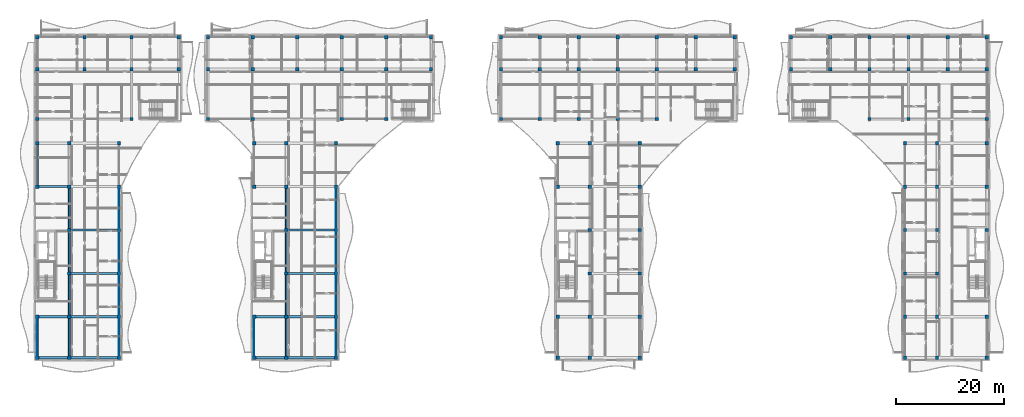
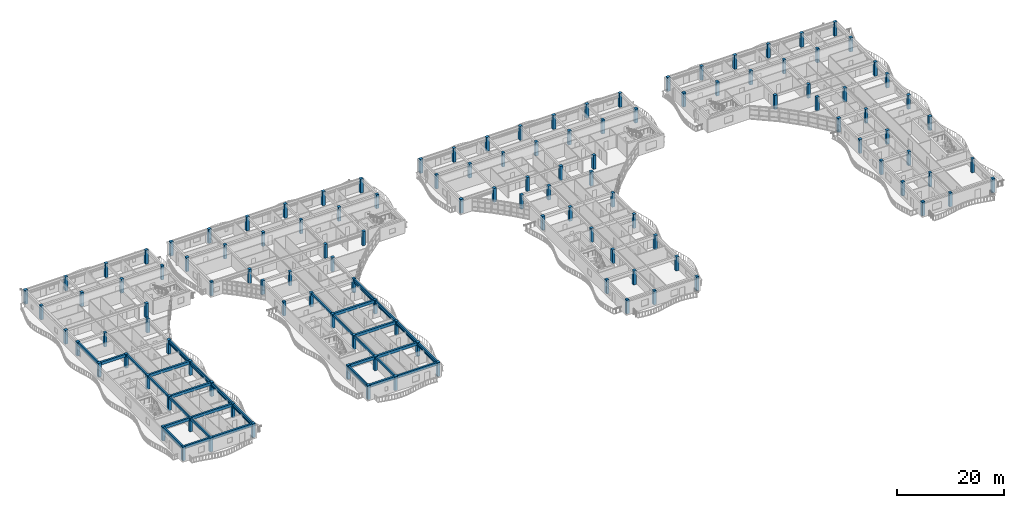
# One storey, part 1 of 76: 125 columns, 32 beams, 21 members.
"""IFC4 building model written with IfcOpenShell, lengths in metres."""

from ifc_helpers import new_model, si_unit, direction, frame, origin, origin_2d, place, context, subcontext, project, spatial, rectangle, hollow_rectangle, extrude, material, material_profile, profile_set, type_object, element, save


model = new_model("IFC4")

# Units and contexts
model_context = context("Model", 3, precision=1e-05, world=origin(), true_north=direction((0.0, 1.0)))
body_context = subcontext(model_context, "Body", "Model", "MODEL_VIEW")
ifc_project = project(units=[si_unit("LENGTHUNIT", "METRE"), si_unit("AREAUNIT", "SQUARE_METRE"), si_unit("VOLUMEUNIT", "CUBIC_METRE"), si_unit("PLANEANGLEUNIT", "RADIAN"), si_unit("MASSUNIT", "GRAM", prefix="KILO")], contexts=[model_context])

# Site, building, storey
site_placement = place(None, origin())
site = spatial("IfcSite", under=ifc_project, at=site_placement, CompositionType="ELEMENT")
building_placement = place(site_placement, origin())
building = spatial("IfcBuilding", under=site, at=building_placement, Name="Keldmere Railside Commons", CompositionType="ELEMENT")
storey_placement = place(building_placement, frame((0.0, 0.0, 13.760009765625)))
storey = spatial("IfcBuildingStorey", under=building, at=storey_placement, Name="L04", CompositionType="ELEMENT", Elevation=13.760009765625)

# Columns
ifc_material_1 = material(Name="Concrete H-35 (C35/45)", Category="concrete")
ifc_material_profile_1 = material_profile(ifc_material_1, rectangle(XDim=0.60009765625, YDim=0.60009765625, at=origin_2d()), Name="RC-600x600")
ifc_profile_set_1 = profile_set([ifc_material_profile_1], Name="Concrete H-35 (C35/45)")
column_type = type_object("IfcColumnType", Name="Mid-Rise RC Column 600x600", PredefinedType="COLUMN", material=ifc_profile_set_1)
for number, where, z_axis, x_axis, name in (
    (1, (8.449951171875, 56.449951171875, 0.0), (0.0, 0.0, 1.0), (1.0, 0.0, 0.0), "C-600 COL-L04-0044"),
    (2, (8.449951171875, 64.0, 0.0), (0.0, 0.0, 1.0), (1.0, 0.0, 0.0), "C-600 COL-L04-0050"),
    (3, (8.449951171875, 88.0, 0.0), (0.0, 0.0, 1.0), (1.0, 0.0, 0.0), "C-600 COL-L04-0058"),
    (4, (8.449951171875, 96.0, 0.0), (0.0, 0.0, 1.0), (1.0, 0.0, 0.0), "C-600 COL-L04-0067"),
    (5, (8.449951171875, 100.449951171875, 0.0), (0.0, 0.0, 1.0), (1.0, 0.0, 0.0), "C-600 COL-L04-0076"),
    (6, (8.449951171875, 109.64990234375, 0.0), (0.0, 0.0, 1.0), (1.0, 0.0, 0.0), "C-600 COL-L04-0086"),
    (7, (8.449951171875, 115.550048828125, 0.0), (0.0, 0.0, 1.0), (1.0, 0.0, 0.0), "C-600 COL-L04-0095"),
    (8, (14.35009765625, 56.449951171875, 0.0), (0.0, 0.0, 1.0), (1.0, 0.0, 0.0), "C-600 COL-L04-0102"),
    (9, (14.35009765625, 64.0, 0.0), (0.0, 0.0, 1.0), (1.0, 0.0, 0.0), "C-600 COL-L04-0108"),
    (10, (14.35009765625, 72.0, 0.0), (0.0, 0.0, 1.0), (1.0, 0.0, 0.0), "C-600 COL-L04-0116"),
    (11, (14.35009765625, 80.0, 0.0), (0.0, 0.0, 1.0), (1.0, 0.0, 0.0), "C-600 COL-L04-0125"),
    (12, (14.35009765625, 88.0, 0.0), (0.0, 0.0, 1.0), (1.0, 0.0, 0.0), "C-600 COL-L04-0134"),
    (13, (14.35009765625, 96.0, 0.0), (0.0, 0.0, 1.0), (1.0, 0.0, 0.0), "C-600 COL-L04-0143"),
    (14, (17.14990234375, 109.64990234375, 0.0), (0.0, 0.0, 1.0), (1.0, 0.0, 0.0), "C-600 COL-L04-0170"),
    (15, (17.14990234375, 115.550048828125, 0.0), (0.0, 0.0, 1.0), (1.0, 0.0, 0.0), "C-600 COL-L04-0179"),
    (16, (23.550048828125, 56.449951171875, 0.0), (0.0, 0.0, 1.0), (1.0, 0.0, 0.0), "C-600 COL-L04-0189"),
    (17, (23.550048828125, 64.0, 0.0), (0.0, 0.0, 1.0), (1.0, 0.0, 0.0), "C-600 COL-L04-0195"),
    (18, (23.550048828125, 72.0, 0.0), (0.0, 0.0, 1.0), (1.0, 0.0, 0.0), "C-600 COL-L04-0203"),
    (19, (23.550048828125, 80.0, 0.0), (0.0, 0.0, 1.0), (1.0, 0.0, 0.0), "C-600 COL-L04-0212"),
    (20, (23.550048828125, 88.0, 0.0), (0.0, 0.0, 1.0), (1.0, 0.0, 0.0), "C-600 COL-L04-0221"),
    (21, (23.550048828125, 96.0, 0.0), (0.0, 0.0, 1.0), (1.0, 0.0, 0.0), "C-600 COL-L04-0230"),
    (22, (25.85009765625, 100.449951171875, 0.0), (0.0, 0.0, 1.0), (1.0, 0.0, 0.0), "C-600 COL-L04-0251"),
    (23, (25.85009765625, 109.64990234375, 0.0), (0.0, 0.0, 1.0), (1.0, 0.0, 0.0), "C-600 COL-L04-0261"),
    (24, (25.85009765625, 115.550048828125, 0.0), (0.0, 0.0, 1.0), (1.0, 0.0, 0.0), "C-600 COL-L04-0270"),
    (25, (34.550048828125, 109.64990234375, 0.0), (0.0, 0.0, 1.0), (1.0, 0.0, 0.0), "C-600 COL-L04-0305"),
    (26, (34.550048828125, 115.550048828125, 0.0), (0.0, 0.0, 1.0), (1.0, 0.0, 0.0), "C-600 COL-L04-0314"),
    (27, (39.949951171875, 100.449951171875, 0.0), (0.0, 0.0, 1.0), (1.0, 0.0, 0.0), "C-600 COL-L04-0340"),
    (28, (39.949951171875, 109.64990234375, 0.0), (0.0, 0.0, 1.0), (1.0, 0.0, 0.0), "C-600 COL-L04-0352"),
    (29, (39.949951171875, 115.550048828125, 0.0), (0.0, 0.0, 1.0), (1.0, 0.0, 0.0), "C-600 COL-L04-0363"),
    (30, (48.169921875, 100.449951171875, 0.0), (0.0, 0.0, 1.0), (1.0, 0.0, 0.0), "C-600 COL-L04-0390"),
    (31, (48.169921875, 109.64990234375, 0.0), (0.0, 0.0, 1.0), (1.0, 0.0, 0.0), "C-600 COL-L04-0402"),
    (32, (48.169921875, 115.550048828125, 0.0), (0.0, 0.0, 1.0), (1.0, 0.0, 0.0), "C-600 COL-L04-0413"),
    (33, (48.449951171875, 56.449951171875, 0.0), (0.0, 0.0, 1.0), (1.0, 0.0, 0.0), "C-600 COL-L04-0436"),
    (34, (48.449951171875, 64.0, 0.0), (0.0, 0.0, 1.0), (1.0, 0.0, 0.0), "C-600 COL-L04-0443"),
    (35, (48.449951171875, 88.0, 0.0), (0.0, 0.0, 1.0), (1.0, 0.0, 0.0), "C-600 COL-L04-0453"),
    (36, (48.449951171875, 96.0, 0.0), (0.0, 0.0, 1.0), (1.0, 0.0, 0.0), "C-600 COL-L04-0464"),
    (37, (54.35009765625, 56.449951171875, 0.0), (0.0, 0.0, 1.0), (1.0, 0.0, 0.0), "C-600 COL-L04-0482"),
    (38, (54.35009765625, 64.0, 0.0), (0.0, 0.0, 1.0), (1.0, 0.0, 0.0), "C-600 COL-L04-0489"),
    (39, (54.35009765625, 72.0, 0.0), (0.0, 0.0, 1.0), (1.0, 0.0, 0.0), "C-600 COL-L04-0499"),
    (40, (54.35009765625, 80.0, 0.0), (0.0, 0.0, 1.0), (1.0, 0.0, 0.0), "C-600 COL-L04-0510"),
    (41, (54.35009765625, 88.0, 0.0), (0.0, 0.0, 1.0), (1.0, 0.0, 0.0), "C-600 COL-L04-0521"),
    (42, (54.35009765625, 96.0, 0.0), (0.0, 0.0, 1.0), (1.0, 0.0, 0.0), "C-600 COL-L04-0532"),
    (43, (56.389892578125, 109.64990234375, 0.0), (0.0, 0.0, 1.0), (1.0, 0.0, 0.0), "C-600 COL-L04-0544"),
    (44, (56.389892578125, 115.550048828125, 0.0), (0.0, 0.0, 1.0), (1.0, 0.0, 0.0), "C-600 COL-L04-0555"),
    (45, (63.550048828125, 56.449951171875, 0.0), (0.0, 0.0, 1.0), (1.0, 0.0, 0.0), "C-600 COL-L04-0568"),
    (46, (63.550048828125, 64.0, 0.0), (0.0, 0.0, 1.0), (1.0, 0.0, 0.0), "C-600 COL-L04-0575"),
    (47, (63.550048828125, 72.0, 0.0), (0.0, 0.0, 1.0), (1.0, 0.0, 0.0), "C-600 COL-L04-0585"),
    (48, (63.550048828125, 80.0, 0.0), (0.0, 0.0, 1.0), (1.0, 0.0, 0.0), "C-600 COL-L04-0596"),
    (49, (63.550048828125, 88.0, 0.0), (0.0, 0.0, 1.0), (1.0, 0.0, 0.0), "C-600 COL-L04-0607"),
    (50, (63.550048828125, 96.0, 0.0), (0.0, 0.0, 1.0), (1.0, 0.0, 0.0), "C-600 COL-L04-0618"),
    (51, (64.610107421875, 100.449951171875, 0.0), (0.0, 0.0, 1.0), (1.0, 0.0, 0.0), "C-600 COL-L04-0644"),
    (52, (64.610107421875, 109.64990234375, 0.0), (0.0, 0.0, 1.0), (1.0, 0.0, 0.0), "C-600 COL-L04-0656"),
    (53, (64.610107421875, 115.550048828125, 0.0), (0.0, 0.0, 1.0), (1.0, 0.0, 0.0), "C-600 COL-L04-0667"),
    (54, (72.830078125, 100.449951171875, 0.0), (0.0, 0.0, 1.0), (1.0, 0.0, 0.0), "C-600 COL-L04-0689"),
    (55, (72.830078125, 109.64990234375, 0.0), (0.0, 0.0, 1.0), (1.0, 0.0, 0.0), "C-600 COL-L04-0701"),
    (56, (72.830078125, 115.550048828125, 0.0), (0.0, 0.0, 1.0), (1.0, 0.0, 0.0), "C-600 COL-L04-0712"),
    (57, (81.050048828125, 109.64990234375, 0.0), (0.0, 0.0, 1.0), (1.0, 0.0, 0.0), "C-600 COL-L04-0754"),
    (58, (81.050048828125, 115.550048828125, 0.0), (0.0, 0.0, 1.0), (1.0, 0.0, 0.0), "C-600 COL-L04-0765"),
    (59, (93.949951171875, 100.449951171875, 0.0), (0.0, 0.0, 1.0), (1.0, 0.0, 0.0), "C-600 COL-L04-0814"),
    (60, (93.949951171875, 109.64990234375, 0.0), (0.0, 0.0, 1.0), (1.0, 0.0, 0.0), "C-600 COL-L04-0828"),
    (61, (93.949951171875, 115.550048828125, 0.0), (0.0, 0.0, 1.0), (1.0, 0.0, 0.0), "C-600 COL-L04-0841"),
    (62, (101.133056640625, 100.449951171875, 0.0), (0.0, 0.0, 1.0), (1.0, 0.0, 0.0), "C-600 COL-L04-0883"),
    (63, (101.133056640625, 109.64990234375, 0.0), (0.0, 0.0, 1.0), (1.0, 0.0, 0.0), "C-600 COL-L04-0897"),
    (64, (101.133056640625, 115.550048828125, 0.0), (0.0, 0.0, 1.0), (1.0, 0.0, 0.0), "C-600 COL-L04-0910"),
    (65, (104.449951171875, 56.449951171875, 0.0), (0.0, 0.0, 1.0), (1.0, 0.0, 0.0), "C-600 COL-L04-0925"),
    (66, (104.449951171875, 64.0, 0.0), (0.0, 0.0, 1.0), (1.0, 0.0, 0.0), "C-600 COL-L04-0934"),
    (67, (104.449951171875, 88.0, 0.0), (0.0, 0.0, 1.0), (1.0, 0.0, 0.0), "C-600 COL-L04-0946"),
    (68, (104.449951171875, 96.0, 0.0), (0.0, 0.0, 1.0), (1.0, 0.0, 0.0), "C-600 COL-L04-0959"),
    (69, (108.31689453125, 100.449951171875, 0.0), (0.0, 0.0, 1.0), (1.0, 0.0, 0.0), "C-600 COL-L04-0983"),
    (70, (108.31689453125, 109.64990234375, 0.0), (0.0, 0.0, 1.0), (1.0, 0.0, 0.0), "C-600 COL-L04-0997"),
    (71, (108.31689453125, 115.550048828125, 0.0), (0.0, 0.0, 1.0), (1.0, 0.0, 0.0), "C-600 COL-L04-1010"),
    (72, (110.35009765625, 56.449951171875, 0.0), (0.0, 0.0, 1.0), (1.0, 0.0, 0.0), "C-600 COL-L04-1019"),
    (73, (110.35009765625, 64.0, 0.0), (0.0, 0.0, 1.0), (1.0, 0.0, 0.0), "C-600 COL-L04-1028"),
    (74, (110.35009765625, 72.0, 0.0), (0.0, 0.0, 1.0), (1.0, 0.0, 0.0), "C-600 COL-L04-1040"),
    (75, (110.35009765625, 80.0, 0.0), (0.0, 0.0, 1.0), (1.0, 0.0, 0.0), "C-600 COL-L04-1053"),
    (76, (110.35009765625, 88.0, 0.0), (0.0, 0.0, 1.0), (1.0, 0.0, 0.0), "C-600 COL-L04-1066"),
    (77, (110.35009765625, 96.0, 0.0), (0.0, 0.0, 1.0), (1.0, 0.0, 0.0), "C-600 COL-L04-1079"),
    (78, (115.5, 100.449951171875, 0.0), (0.0, 0.0, 1.0), (1.0, 0.0, 0.0), "C-600 COL-L04-1100"),
    (79, (115.5, 109.64990234375, 0.0), (0.0, 0.0, 1.0), (1.0, 0.0, 0.0), "C-600 COL-L04-1114"),
    (80, (115.5, 115.550048828125, 0.0), (0.0, 0.0, 1.0), (1.0, 0.0, 0.0), "C-600 COL-L04-1127"),
    (81, (119.550048828125, 56.449951171875, 0.0), (0.0, 0.0, 1.0), (1.0, 0.0, 0.0), "C-600 COL-L04-1136"),
    (82, (119.550048828125, 64.0, 0.0), (0.0, 0.0, 1.0), (1.0, 0.0, 0.0), "C-600 COL-L04-1145"),
    (83, (119.550048828125, 72.0, 0.0), (0.0, 0.0, 1.0), (1.0, 0.0, 0.0), "C-600 COL-L04-1157"),
    (84, (119.550048828125, 80.0, 0.0), (0.0, 0.0, 1.0), (1.0, 0.0, 0.0), "C-600 COL-L04-1170"),
    (85, (119.550048828125, 88.0, 0.0), (0.0, 0.0, 1.0), (1.0, 0.0, 0.0), "C-600 COL-L04-1183"),
    (86, (119.550048828125, 96.0, 0.0), (0.0, 0.0, 1.0), (1.0, 0.0, 0.0), "C-600 COL-L04-1196"),
    (87, (122.68310546875, 100.449951171875, 0.0), (0.0, 0.0, 1.0), (1.0, 0.0, 0.0), "C-600 COL-L04-1238"),
    (88, (122.68310546875, 109.64990234375, 0.0), (0.0, 0.0, 1.0), (1.0, 0.0, 0.0), "C-600 COL-L04-1252"),
    (89, (122.68310546875, 115.550048828125, 0.0), (0.0, 0.0, 1.0), (1.0, 0.0, 0.0), "C-600 COL-L04-1265"),
    (90, (129.866943359375, 109.64990234375, 0.0), (0.0, 0.0, 1.0), (1.0, 0.0, 0.0), "C-600 COL-L04-1297"),
    (91, (129.866943359375, 115.550048828125, 0.0), (0.0, 0.0, 1.0), (1.0, 0.0, 0.0), "C-600 COL-L04-1310"),
    (92, (137.050048828125, 109.64990234375, 0.0), (0.0, 0.0, 1.0), (1.0, 0.0, 0.0), "C-600 COL-L04-1347"),
    (93, (137.050048828125, 115.550048828125, 0.0), (0.0, 0.0, 1.0), (1.0, 0.0, 0.0), "C-600 COL-L04-1360"),
    (94, (147.449951171875, 109.64990234375, 0.0), (0.0, 0.0, 1.0), (1.0, 0.0, 0.0), "C-600 COL-L04-1377"),
    (95, (147.449951171875, 115.550048828125, 0.0), (0.0, 0.0, 1.0), (1.0, 0.0, 0.0), "C-600 COL-L04-1392"),
    (96, (154.669921875, 109.64990234375, 0.0), (0.0, 0.0, 1.0), (1.0, 0.0, 0.0), "C-600 COL-L04-1429"),
    (97, (154.669921875, 115.550048828125, 0.0), (0.0, 0.0, 1.0), (1.0, 0.0, 0.0), "C-600 COL-L04-1444"),
    (98, (161.889892578125, 100.449951171875, 0.0), (0.0, 0.0, 1.0), (1.0, 0.0, 0.0), "C-600 COL-L04-1482"),
    (99, (161.889892578125, 109.64990234375, 0.0), (0.0, 0.0, 1.0), (1.0, 0.0, 0.0), "C-600 COL-L04-1498"),
    (100, (161.889892578125, 115.550048828125, 0.0), (0.0, 0.0, 1.0), (1.0, 0.0, 0.0), "C-600 COL-L04-1513"),
    (101, (168.449951171875, 56.449951171875, 0.0), (0.0, 0.0, 1.0), (1.0, 0.0, 0.0), "C-600 COL-L04-1548"),
    (102, (168.449951171875, 64.0, 0.0), (0.0, 0.0, 1.0), (1.0, 0.0, 0.0), "C-600 COL-L04-1558"),
    (103, (168.449951171875, 72.0, 0.0), (0.0, 0.0, 1.0), (1.0, 0.0, 0.0), "C-600 COL-L04-1572"),
    (104, (168.449951171875, 80.0, 0.0), (0.0, 0.0, 1.0), (1.0, 0.0, 0.0), "C-600 COL-L04-1587"),
    (105, (168.449951171875, 88.0, 0.0), (0.0, 0.0, 1.0), (1.0, 0.0, 0.0), "C-600 COL-L04-1602"),
    (106, (168.449951171875, 96.0, 0.0), (0.0, 0.0, 1.0), (1.0, 0.0, 0.0), "C-600 COL-L04-1617"),
    (107, (169.110107421875, 100.449951171875, 0.0), (0.0, 0.0, 1.0), (1.0, 0.0, 0.0), "C-600 COL-L04-1632"),
    (108, (169.110107421875, 109.64990234375, 0.0), (0.0, 0.0, 1.0), (1.0, 0.0, 0.0), "C-600 COL-L04-1648"),
    (109, (169.110107421875, 115.550048828125, 0.0), (0.0, 0.0, 1.0), (1.0, 0.0, 0.0), "C-600 COL-L04-1663"),
    (110, (174.35009765625, 56.449951171875, 0.0), (0.0, 0.0, 1.0), (1.0, 0.0, 0.0), "C-600 COL-L04-1674"),
    (111, (174.35009765625, 64.0, 0.0), (0.0, 0.0, 1.0), (1.0, 0.0, 0.0), "C-600 COL-L04-1684"),
    (112, (174.35009765625, 72.0, 0.0), (0.0, 0.0, 1.0), (1.0, 0.0, 0.0), "C-600 COL-L04-1698"),
    (113, (174.35009765625, 80.0, 0.0), (0.0, 0.0, 1.0), (1.0, 0.0, 0.0), "C-600 COL-L04-1713"),
    (114, (174.35009765625, 88.0, 0.0), (0.0, 0.0, 1.0), (1.0, 0.0, 0.0), "C-600 COL-L04-1728"),
    (115, (174.35009765625, 96.0, 0.0), (0.0, 0.0, 1.0), (1.0, 0.0, 0.0), "C-600 COL-L04-1743"),
    (116, (176.330078125, 109.64990234375, 0.0), (0.0, 0.0, 1.0), (1.0, 0.0, 0.0), "C-600 COL-L04-1776"),
    (117, (176.330078125, 115.550048828125, 0.0), (0.0, 0.0, 1.0), (1.0, 0.0, 0.0), "C-600 COL-L04-1791"),
    (118, (183.550048828125, 56.449951171875, 0.0), (0.0, 0.0, 1.0), (1.0, 0.0, 0.0), "C-600 COL-L04-1806"),
    (119, (183.550048828125, 64.0, 0.0), (0.0, 0.0, 1.0), (1.0, 0.0, 0.0), "C-600 COL-L04-1816"),
    (120, (183.550048828125, 80.0, 0.0), (0.0, 0.0, 1.0), (1.0, 0.0, 0.0), "C-600 COL-L04-1830"),
    (121, (183.550048828125, 88.0, 0.0), (0.0, 0.0, 1.0), (1.0, 0.0, 0.0), "C-600 COL-L04-1845"),
    (122, (183.550048828125, 96.0, 0.0), (0.0, 0.0, 1.0), (1.0, 0.0, 0.0), "C-600 COL-L04-1860"),
    (123, (183.550048828125, 100.449951171875, 0.0), (0.0, 0.0, 1.0), (1.0, 0.0, 0.0), "C-600 COL-L04-1875"),
    (124, (183.550048828125, 109.64990234375, 0.0), (0.0, 0.0, 1.0), (1.0, 0.0, 0.0), "C-600 COL-L04-1891"),
    (125, (183.550048828125, 115.550048828125, 0.0), (0.0, 0.0, 1.0), (1.0, 0.0, 0.0), "C-600 COL-L04-1906"),
):
    element("IfcColumn", number, at=place(storey_placement, frame(where, z_axis=z_axis, x_axis=x_axis)), inside=storey, type_object=column_type, Name=name, PredefinedType="COLUMN", context=body_context, shape_type="SweptSolid", body=[
        extrude(rectangle(XDim=0.60009765625, YDim=0.60009765625, at=origin_2d()), origin(), (0.0, 0.0, 1.0), 3.199951171875),
    ])

# Members
ifc_material_2 = material(Name="Steel F-36 (S355)", Category="steel")
ifc_material_profile_2 = material_profile(ifc_material_2, hollow_rectangle(XDim=0.14990234375, YDim=0.25, WallThickness=0.010009765625, at=origin_2d()), Name="RHS-250x150x10")
ifc_profile_set_2 = profile_set([ifc_material_profile_2], Name="Steel F-36 (S355)")
member_type_1 = type_object("IfcMemberType", Name="Balcony Continuous Planted Trough RHS250x150", PredefinedType="CHORD", material=ifc_profile_set_2)
member_1_placement = place(storey_placement, frame((8.449951171875, 56.75, 2.4150390625), z_axis=(0.0, 1.0, 0.0), x_axis=(-1.0, 0.0, 0.0)))
element("IfcMember", 126, at=member_1_placement, inside=storey, type_object=member_type_1, Name="PLT-1 MEM-BPLT-0453", PredefinedType="CHORD", context=body_context, shape_type="SweptSolid", body=[
    extrude(hollow_rectangle(XDim=0.14990234375, YDim=0.25, WallThickness=0.010009765625, at=origin_2d()), origin(), (0.0, 0.0, 1.0), 6.949951171875),
])
member_2_placement = place(storey_placement, frame((8.449951171875, 88.300048828125, 2.4150390625), z_axis=(0.0, 1.0, 0.0), x_axis=(-1.0, 0.0, 0.0)))
element("IfcMember", 127, at=member_2_placement, inside=storey, type_object=member_type_1, Name="PLT-1 MEM-BPLT-0455", PredefinedType="CHORD", context=body_context, shape_type="SweptSolid", body=[
    extrude(hollow_rectangle(XDim=0.14990234375, YDim=0.25, WallThickness=0.010009765625, at=origin_2d()), origin(), (0.0, 0.0, 1.0), 7.39990234375),
])
member_3_placement = place(storey_placement, frame((23.550048828125, 56.75, 2.4150390625), z_axis=(0.0, 1.0, 0.0), x_axis=(-1.0, 0.0, 0.0)))
element("IfcMember", 128, at=member_3_placement, inside=storey, type_object=member_type_1, Name="PLT-1 MEM-BPLT-0463", PredefinedType="CHORD", context=body_context, shape_type="SweptSolid", body=[
    extrude(hollow_rectangle(XDim=0.14990234375, YDim=0.25, WallThickness=0.010009765625, at=origin_2d()), origin(), (0.0, 0.0, 1.0), 6.949951171875),
])
for number, where, z_axis, x_axis, name in (
    (129, (23.550048828125, 64.300048828125, 2.4150390625), (0.0, 1.0, 0.0), (-1.0, 0.0, 0.0), "PLT-1 MEM-BPLT-0465"),
    (130, (23.550048828125, 72.300048828125, 2.4150390625), (0.0, 1.0, 0.0), (-1.0, 0.0, 0.0), "PLT-1 MEM-BPLT-0467"),
    (131, (23.550048828125, 80.300048828125, 2.4150390625), (0.0, 1.0, 0.0), (-1.0, 0.0, 0.0), "PLT-1 MEM-BPLT-0469"),
):
    element("IfcMember", number, at=place(storey_placement, frame(where, z_axis=z_axis, x_axis=x_axis)), inside=storey, type_object=member_type_1, Name=name, PredefinedType="CHORD", context=body_context, shape_type="SweptSolid", body=[
        extrude(hollow_rectangle(XDim=0.14990234375, YDim=0.25, WallThickness=0.010009765625, at=origin_2d()), origin(), (0.0, 0.0, 1.0), 7.39990234375),
    ])
for number, where, z_axis, x_axis, name in (
    (132, (48.449951171875, 56.75, 2.4150390625), (0.0, 1.0, 0.0), (-1.0, 0.0, 0.0), "PLT-1 MEM-BPLT-0487"),
    (133, (63.550048828125, 56.75, 2.4150390625), (0.0, 1.0, 0.0), (-1.0, 0.0, 0.0), "PLT-1 MEM-BPLT-0497"),
):
    element("IfcMember", number, at=place(storey_placement, frame(where, z_axis=z_axis, x_axis=x_axis)), inside=storey, type_object=member_type_1, Name=name, PredefinedType="CHORD", context=body_context, shape_type="SweptSolid", body=[
        extrude(hollow_rectangle(XDim=0.14990234375, YDim=0.25, WallThickness=0.010009765625, at=origin_2d()), origin(), (0.0, 0.0, 1.0), 6.949951171875),
    ])
for number, where, z_axis, x_axis, name in (
    (134, (63.550048828125, 64.300048828125, 2.4150390625), (0.0, 1.0, 0.0), (-1.0, 0.0, 0.0), "PLT-1 MEM-BPLT-0499"),
    (135, (63.550048828125, 72.300048828125, 2.4150390625), (0.0, 1.0, 0.0), (-1.0, 0.0, 0.0), "PLT-1 MEM-BPLT-0501"),
    (136, (63.550048828125, 80.300048828125, 2.4150390625), (0.0, 1.0, 0.0), (-1.0, 0.0, 0.0), "PLT-1 MEM-BPLT-0503"),
):
    element("IfcMember", number, at=place(storey_placement, frame(where, z_axis=z_axis, x_axis=x_axis)), inside=storey, type_object=member_type_1, Name=name, PredefinedType="CHORD", context=body_context, shape_type="SweptSolid", body=[
        extrude(hollow_rectangle(XDim=0.14990234375, YDim=0.25, WallThickness=0.010009765625, at=origin_2d()), origin(), (0.0, 0.0, 1.0), 7.39990234375),
    ])

# Beams
ifc_material_3 = material(Name="Concrete H-30 (C30/37)", Category="concrete")
ifc_material_profile_3 = material_profile(ifc_material_3, rectangle(XDim=0.35009765625, YDim=0.60009765625, at=origin_2d()), Name="RC-350x600")
ifc_profile_set_3 = profile_set([ifc_material_profile_3], Name="Concrete H-30 (C30/37)")
beam_type_1 = type_object("IfcBeamType", Name="Residential Chord RC Beam 350x600", PredefinedType="BEAM", material=ifc_profile_set_3)
beam_1_placement = place(storey_placement, frame((8.449951171875, 56.75, 2.89990234375), z_axis=(0.0, 1.0, 0.0), x_axis=(-1.0, 0.0, 0.0)))
element("IfcBeam", 137, at=beam_1_placement, inside=storey, type_object=beam_type_1, Name="BG-4 BM-L04-1602", PredefinedType="BEAM", context=body_context, shape_type="SweptSolid", body=[
    extrude(rectangle(XDim=0.35009765625, YDim=0.60009765625, at=origin_2d()), origin(), (0.0, 0.0, 1.0), 6.949951171875),
])
beam_2_placement = place(storey_placement, frame((8.449951171875, 88.300048828125, 2.89990234375), z_axis=(0.0, 1.0, 0.0), x_axis=(-1.0, 0.0, 0.0)))
element("IfcBeam", 138, at=beam_2_placement, inside=storey, type_object=beam_type_1, Name="BG-4 BM-L04-1603", PredefinedType="BEAM", context=body_context, shape_type="SweptSolid", body=[
    extrude(rectangle(XDim=0.35009765625, YDim=0.60009765625, at=origin_2d()), origin(), (0.0, 0.0, 1.0), 7.39990234375),
])
ifc_material_profile_4 = material_profile(ifc_material_3, rectangle(XDim=0.39990234375, YDim=0.64990234375, at=origin_2d()), Name="RC-400x650")
ifc_profile_set_4 = profile_set([ifc_material_profile_4], Name="Concrete H-30 (C30/37)")
beam_type_2 = type_object("IfcBeamType", Name="Residential Spine RC Girder 400x650", PredefinedType="BEAM", material=ifc_profile_set_4)
beam_3_placement = place(storey_placement, frame((8.75, 56.449951171875, 2.875), z_axis=(1.0, 0.0, 0.0), x_axis=(0.0, 1.0, 0.0)))
element("IfcBeam", 139, at=beam_3_placement, inside=storey, type_object=beam_type_2, Name="BG-3 BM-L04-1514", PredefinedType="BEAM", context=body_context, shape_type="SweptSolid", body=[
    extrude(rectangle(XDim=0.39990234375, YDim=0.64990234375, at=origin_2d()), origin(), (0.0, 0.0, 1.0), 5.300048828125),
])
beam_4_placement = place(storey_placement, frame((14.64990234375, 56.449951171875, 2.875), z_axis=(1.0, 0.0, 0.0), x_axis=(0.0, 1.0, 0.0)))
element("IfcBeam", 140, at=beam_4_placement, inside=storey, type_object=beam_type_2, Name="BG-3 BM-L04-1515", PredefinedType="BEAM", context=body_context, shape_type="SweptSolid", body=[
    extrude(rectangle(XDim=0.39990234375, YDim=0.64990234375, at=origin_2d()), origin(), (0.0, 0.0, 1.0), 8.60009765625),
])
beam_5_placement = place(storey_placement, frame((48.75, 56.449951171875, 2.875), z_axis=(1.0, 0.0, 0.0), x_axis=(0.0, 1.0, 0.0)))
element("IfcBeam", 141, at=beam_5_placement, inside=storey, type_object=beam_type_2, Name="BG-3 BM-L04-1516", PredefinedType="BEAM", context=body_context, shape_type="SweptSolid", body=[
    extrude(rectangle(XDim=0.39990234375, YDim=0.64990234375, at=origin_2d()), origin(), (0.0, 0.0, 1.0), 5.300048828125),
])
beam_6_placement = place(storey_placement, frame((54.64990234375, 56.449951171875, 2.875), z_axis=(1.0, 0.0, 0.0), x_axis=(0.0, 1.0, 0.0)))
element("IfcBeam", 142, at=beam_6_placement, inside=storey, type_object=beam_type_2, Name="BG-3 BM-L04-1517", PredefinedType="BEAM", context=body_context, shape_type="SweptSolid", body=[
    extrude(rectangle(XDim=0.39990234375, YDim=0.64990234375, at=origin_2d()), origin(), (0.0, 0.0, 1.0), 8.60009765625),
])
beam_7_placement = place(storey_placement, frame((8.75, 64.0, 2.875), z_axis=(1.0, 0.0, 0.0), x_axis=(0.0, 1.0, 0.0)))
element("IfcBeam", 143, at=beam_7_placement, inside=storey, type_object=beam_type_2, Name="BG-3 BM-L04-1522", PredefinedType="BEAM", context=body_context, shape_type="SweptSolid", body=[
    extrude(rectangle(XDim=0.39990234375, YDim=0.64990234375, at=origin_2d()), origin(), (0.0, 0.0, 1.0), 5.300048828125),
])
beam_8_placement = place(storey_placement, frame((14.64990234375, 64.0, 2.875), z_axis=(1.0, 0.0, 0.0), x_axis=(0.0, 1.0, 0.0)))
element("IfcBeam", 144, at=beam_8_placement, inside=storey, type_object=beam_type_2, Name="BG-3 BM-L04-1523", PredefinedType="BEAM", context=body_context, shape_type="SweptSolid", body=[
    extrude(rectangle(XDim=0.39990234375, YDim=0.64990234375, at=origin_2d()), origin(), (0.0, 0.0, 1.0), 8.60009765625),
])
beam_9_placement = place(storey_placement, frame((48.75, 64.0, 2.875), z_axis=(1.0, 0.0, 0.0), x_axis=(0.0, 1.0, 0.0)))
element("IfcBeam", 145, at=beam_9_placement, inside=storey, type_object=beam_type_2, Name="BG-3 BM-L04-1524", PredefinedType="BEAM", context=body_context, shape_type="SweptSolid", body=[
    extrude(rectangle(XDim=0.39990234375, YDim=0.64990234375, at=origin_2d()), origin(), (0.0, 0.0, 1.0), 5.300048828125),
])
for number, where, z_axis, x_axis, name in (
    (146, (54.64990234375, 64.0, 2.875), (1.0, 0.0, 0.0), (0.0, 1.0, 0.0), "BG-3 BM-L04-1525"),
    (147, (14.64990234375, 72.0, 2.875), (1.0, 0.0, 0.0), (0.0, 1.0, 0.0), "BG-3 BM-L04-1530"),
    (148, (54.64990234375, 72.0, 2.875), (1.0, 0.0, 0.0), (0.0, 1.0, 0.0), "BG-3 BM-L04-1531"),
    (149, (14.64990234375, 80.0, 2.875), (1.0, 0.0, 0.0), (0.0, 1.0, 0.0), "BG-3 BM-L04-1534"),
    (150, (54.64990234375, 80.0, 2.875), (1.0, 0.0, 0.0), (0.0, 1.0, 0.0), "BG-3 BM-L04-1535"),
):
    element("IfcBeam", number, at=place(storey_placement, frame(where, z_axis=z_axis, x_axis=x_axis)), inside=storey, type_object=beam_type_2, Name=name, PredefinedType="BEAM", context=body_context, shape_type="SweptSolid", body=[
        extrude(rectangle(XDim=0.39990234375, YDim=0.64990234375, at=origin_2d()), origin(), (0.0, 0.0, 1.0), 8.60009765625),
    ])
beam_10_placement = place(storey_placement, frame((8.75, 88.0, 2.875), z_axis=(1.0, 0.0, 0.0), x_axis=(0.0, 1.0, 0.0)))
element("IfcBeam", 151, at=beam_10_placement, inside=storey, type_object=beam_type_2, Name="BG-3 BM-L04-1538", PredefinedType="BEAM", context=body_context, shape_type="SweptSolid", body=[
    extrude(rectangle(XDim=0.39990234375, YDim=0.64990234375, at=origin_2d()), origin(), (0.0, 0.0, 1.0), 5.300048828125),
])
ifc_material_profile_5 = material_profile(ifc_material_3, rectangle(XDim=0.300048828125, YDim=0.5, at=origin_2d()), Name="RC-300x500")
ifc_profile_set_5 = profile_set([ifc_material_profile_5], Name="Concrete H-30 (C30/37)")
beam_type_3 = type_object("IfcBeamType", Name="Secondary Frame RC Beam 300x500", PredefinedType="BEAM", material=ifc_profile_set_5)
beam_11_placement = place(storey_placement, frame((14.35009765625, 56.75, 2.949951171875), z_axis=(0.0, 1.0, 0.0), x_axis=(-1.0, 0.0, 0.0)))
element("IfcBeam", 152, at=beam_11_placement, inside=storey, type_object=beam_type_3, Name="BG-5 BM-L04-1607", PredefinedType="BEAM", context=body_context, shape_type="SweptSolid", body=[
    extrude(rectangle(XDim=0.300048828125, YDim=0.5, at=origin_2d()), origin(), (0.0, 0.0, 1.0), 6.949951171875),
])
for number, where, z_axis, x_axis, name in (
    (153, (14.35009765625, 64.300048828125, 2.949951171875), (0.0, 1.0, 0.0), (-1.0, 0.0, 0.0), "BG-5 BM-L04-1608"),
    (154, (14.35009765625, 72.300048828125, 2.949951171875), (0.0, 1.0, 0.0), (-1.0, 0.0, 0.0), "BG-5 BM-L04-1609"),
    (155, (14.35009765625, 80.300048828125, 2.949951171875), (0.0, 1.0, 0.0), (-1.0, 0.0, 0.0), "BG-5 BM-L04-1610"),
):
    element("IfcBeam", number, at=place(storey_placement, frame(where, z_axis=z_axis, x_axis=x_axis)), inside=storey, type_object=beam_type_3, Name=name, PredefinedType="BEAM", context=body_context, shape_type="SweptSolid", body=[
        extrude(rectangle(XDim=0.300048828125, YDim=0.5, at=origin_2d()), origin(), (0.0, 0.0, 1.0), 7.39990234375),
    ])
beam_12_placement = place(storey_placement, frame((23.550048828125, 56.75, 2.949951171875), z_axis=(0.0, 1.0, 0.0), x_axis=(-1.0, 0.0, 0.0)))
element("IfcBeam", 156, at=beam_12_placement, inside=storey, type_object=beam_type_3, Name="BG-5 BM-L04-1613", PredefinedType="BEAM", context=body_context, shape_type="SweptSolid", body=[
    extrude(rectangle(XDim=0.300048828125, YDim=0.5, at=origin_2d()), origin(), (0.0, 0.0, 1.0), 6.949951171875),
])
for number, where, z_axis, x_axis, name in (
    (157, (23.550048828125, 64.300048828125, 2.949951171875), (0.0, 1.0, 0.0), (-1.0, 0.0, 0.0), "BG-5 BM-L04-1614"),
    (158, (23.550048828125, 72.300048828125, 2.949951171875), (0.0, 1.0, 0.0), (-1.0, 0.0, 0.0), "BG-5 BM-L04-1615"),
    (159, (23.550048828125, 80.300048828125, 2.949951171875), (0.0, 1.0, 0.0), (-1.0, 0.0, 0.0), "BG-5 BM-L04-1616"),
):
    element("IfcBeam", number, at=place(storey_placement, frame(where, z_axis=z_axis, x_axis=x_axis)), inside=storey, type_object=beam_type_3, Name=name, PredefinedType="BEAM", context=body_context, shape_type="SweptSolid", body=[
        extrude(rectangle(XDim=0.300048828125, YDim=0.5, at=origin_2d()), origin(), (0.0, 0.0, 1.0), 7.39990234375),
    ])
for number, where, z_axis, x_axis, name in (
    (160, (48.449951171875, 56.75, 2.949951171875), (0.0, 1.0, 0.0), (-1.0, 0.0, 0.0), "BG-5 BM-L04-1625"),
    (161, (54.35009765625, 56.75, 2.949951171875), (0.0, 1.0, 0.0), (-1.0, 0.0, 0.0), "BG-5 BM-L04-1627"),
):
    element("IfcBeam", number, at=place(storey_placement, frame(where, z_axis=z_axis, x_axis=x_axis)), inside=storey, type_object=beam_type_3, Name=name, PredefinedType="BEAM", context=body_context, shape_type="SweptSolid", body=[
        extrude(rectangle(XDim=0.300048828125, YDim=0.5, at=origin_2d()), origin(), (0.0, 0.0, 1.0), 6.949951171875),
    ])
for number, where, z_axis, x_axis, name in (
    (162, (54.35009765625, 64.300048828125, 2.949951171875), (0.0, 1.0, 0.0), (-1.0, 0.0, 0.0), "BG-5 BM-L04-1628"),
    (163, (54.35009765625, 72.300048828125, 2.949951171875), (0.0, 1.0, 0.0), (-1.0, 0.0, 0.0), "BG-5 BM-L04-1629"),
    (164, (54.35009765625, 80.300048828125, 2.949951171875), (0.0, 1.0, 0.0), (-1.0, 0.0, 0.0), "BG-5 BM-L04-1630"),
):
    element("IfcBeam", number, at=place(storey_placement, frame(where, z_axis=z_axis, x_axis=x_axis)), inside=storey, type_object=beam_type_3, Name=name, PredefinedType="BEAM", context=body_context, shape_type="SweptSolid", body=[
        extrude(rectangle(XDim=0.300048828125, YDim=0.5, at=origin_2d()), origin(), (0.0, 0.0, 1.0), 7.39990234375),
    ])
beam_13_placement = place(storey_placement, frame((63.550048828125, 56.75, 2.949951171875), z_axis=(0.0, 1.0, 0.0), x_axis=(-1.0, 0.0, 0.0)))
element("IfcBeam", 165, at=beam_13_placement, inside=storey, type_object=beam_type_3, Name="BG-5 BM-L04-1633", PredefinedType="BEAM", context=body_context, shape_type="SweptSolid", body=[
    extrude(rectangle(XDim=0.300048828125, YDim=0.5, at=origin_2d()), origin(), (0.0, 0.0, 1.0), 6.949951171875),
])
for number, where, z_axis, x_axis, name in (
    (166, (63.550048828125, 64.300048828125, 2.949951171875), (0.0, 1.0, 0.0), (-1.0, 0.0, 0.0), "BG-5 BM-L04-1634"),
    (167, (63.550048828125, 72.300048828125, 2.949951171875), (0.0, 1.0, 0.0), (-1.0, 0.0, 0.0), "BG-5 BM-L04-1635"),
    (168, (63.550048828125, 80.300048828125, 2.949951171875), (0.0, 1.0, 0.0), (-1.0, 0.0, 0.0), "BG-5 BM-L04-1636"),
):
    element("IfcBeam", number, at=place(storey_placement, frame(where, z_axis=z_axis, x_axis=x_axis)), inside=storey, type_object=beam_type_3, Name=name, PredefinedType="BEAM", context=body_context, shape_type="SweptSolid", body=[
        extrude(rectangle(XDim=0.300048828125, YDim=0.5, at=origin_2d()), origin(), (0.0, 0.0, 1.0), 7.39990234375),
    ])

# Members
ifc_material_profile_6 = material_profile(ifc_material_2, hollow_rectangle(XDim=0.10009765625, YDim=0.159912109375, WallThickness=0.008056640625, at=origin_2d()), Name="RHS-160x100x8")
ifc_profile_set_6 = profile_set([ifc_material_profile_6], Name="Steel F-36 (S355)")
member_type_2 = type_object("IfcMemberType", Name="Solar Brise-Soleil Louvre Fin RHS160x100", PredefinedType="STRUT", material=ifc_profile_set_6)
for number, where, z_axis, x_axis, name in (
    (169, (8.449951171875, 56.75, 2.199951171875), (0.0, 1.0, 0.0), (-1.0, 0.0, 0.0), "BSF-1 MEM-BSF-0454"),
    (170, (23.550048828125, 56.75, 2.199951171875), (0.0, 1.0, 0.0), (-1.0, 0.0, 0.0), "BSF-1 MEM-BSF-0464"),
):
    element("IfcMember", number, at=place(storey_placement, frame(where, z_axis=z_axis, x_axis=x_axis)), inside=storey, type_object=member_type_2, Name=name, PredefinedType="STRUT", context=body_context, shape_type="SweptSolid", body=[
        extrude(hollow_rectangle(XDim=0.10009765625, YDim=0.159912109375, WallThickness=0.008056640625, at=origin_2d()), origin(), (0.0, 0.0, 1.0), 6.949951171875),
    ])
for number, where, z_axis, x_axis, name in (
    (171, (23.550048828125, 64.300048828125, 2.199951171875), (0.0, 1.0, 0.0), (-1.0, 0.0, 0.0), "BSF-1 MEM-BSF-0466"),
    (172, (23.550048828125, 72.300048828125, 2.199951171875), (0.0, 1.0, 0.0), (-1.0, 0.0, 0.0), "BSF-1 MEM-BSF-0468"),
    (173, (23.550048828125, 80.300048828125, 2.199951171875), (0.0, 1.0, 0.0), (-1.0, 0.0, 0.0), "BSF-1 MEM-BSF-0470"),
):
    element("IfcMember", number, at=place(storey_placement, frame(where, z_axis=z_axis, x_axis=x_axis)), inside=storey, type_object=member_type_2, Name=name, PredefinedType="STRUT", context=body_context, shape_type="SweptSolid", body=[
        extrude(hollow_rectangle(XDim=0.10009765625, YDim=0.159912109375, WallThickness=0.008056640625, at=origin_2d()), origin(), (0.0, 0.0, 1.0), 7.39990234375),
    ])
for number, where, z_axis, x_axis, name in (
    (174, (48.449951171875, 56.75, 2.199951171875), (0.0, 1.0, 0.0), (-1.0, 0.0, 0.0), "BSF-1 MEM-BSF-0488"),
    (175, (63.550048828125, 56.75, 2.199951171875), (0.0, 1.0, 0.0), (-1.0, 0.0, 0.0), "BSF-1 MEM-BSF-0498"),
):
    element("IfcMember", number, at=place(storey_placement, frame(where, z_axis=z_axis, x_axis=x_axis)), inside=storey, type_object=member_type_2, Name=name, PredefinedType="STRUT", context=body_context, shape_type="SweptSolid", body=[
        extrude(hollow_rectangle(XDim=0.10009765625, YDim=0.159912109375, WallThickness=0.008056640625, at=origin_2d()), origin(), (0.0, 0.0, 1.0), 6.949951171875),
    ])
for number, where, z_axis, x_axis, name in (
    (176, (63.550048828125, 64.300048828125, 2.199951171875), (0.0, 1.0, 0.0), (-1.0, 0.0, 0.0), "BSF-1 MEM-BSF-0500"),
    (177, (63.550048828125, 72.300048828125, 2.199951171875), (0.0, 1.0, 0.0), (-1.0, 0.0, 0.0), "BSF-1 MEM-BSF-0502"),
    (178, (63.550048828125, 80.300048828125, 2.199951171875), (0.0, 1.0, 0.0), (-1.0, 0.0, 0.0), "BSF-1 MEM-BSF-0504"),
):
    element("IfcMember", number, at=place(storey_placement, frame(where, z_axis=z_axis, x_axis=x_axis)), inside=storey, type_object=member_type_2, Name=name, PredefinedType="STRUT", context=body_context, shape_type="SweptSolid", body=[
        extrude(hollow_rectangle(XDim=0.10009765625, YDim=0.159912109375, WallThickness=0.008056640625, at=origin_2d()), origin(), (0.0, 0.0, 1.0), 7.39990234375),
    ])

save(model, "model.ifc")
